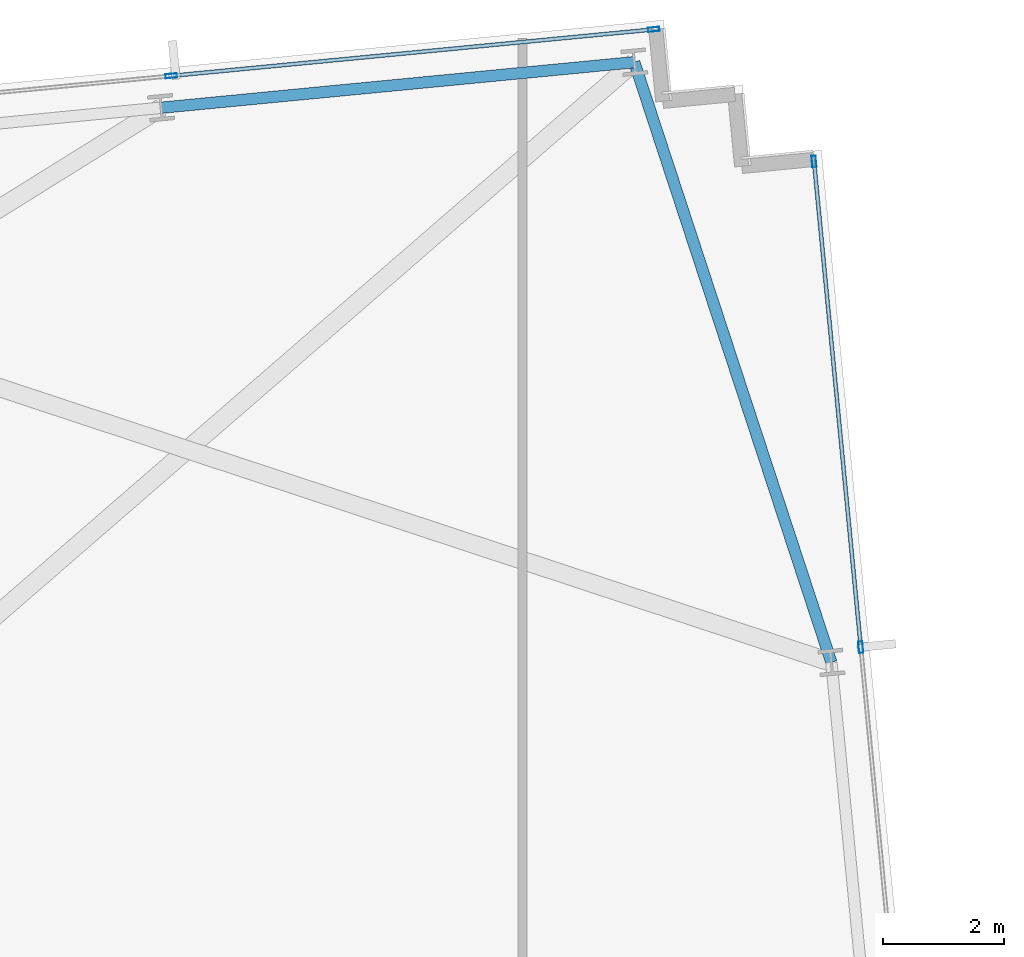
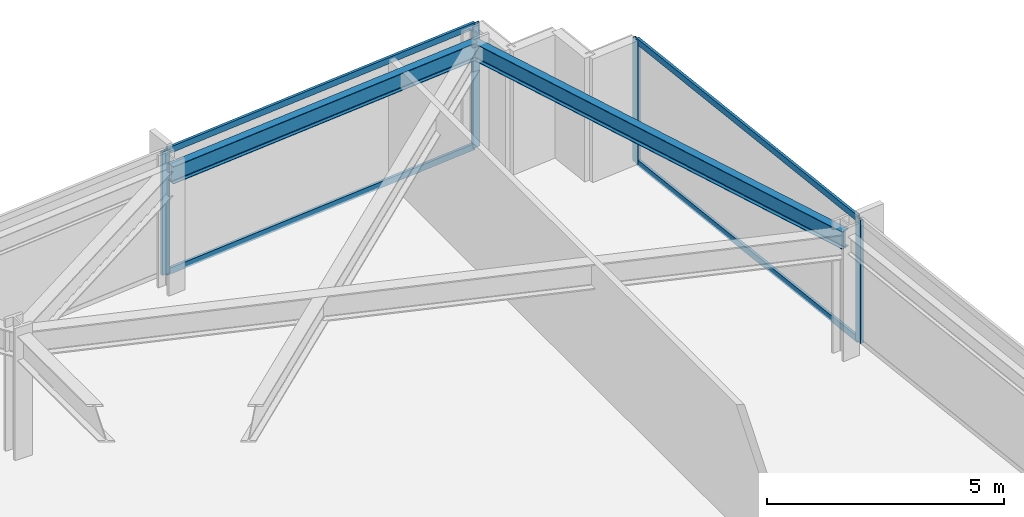
# One storey, part 23 of 32: 8 members, 2 beams, 2 elements without a shape of their own.
"""IFC4 building model written with IfcOpenShell, lengths in metres."""

from ifc_helpers import new_model, si_unit, direction, frame, origin, origin_2d, place, context, subcontext, project, spatial, hollow_rectangle, i_section, extrude, material, material_profile, profile_set, type_object, element, aggregate, save


model = new_model("IFC4")

# Units and contexts
model_context = context("Model", 3, precision=1e-05, world=origin(), true_north=direction((0.0, 1.0)))
body_context = subcontext(model_context, "Body", "Model", "MODEL_VIEW")
ifc_project = project(units=[si_unit("LENGTHUNIT", "METRE"), si_unit("AREAUNIT", "SQUARE_METRE"), si_unit("VOLUMEUNIT", "CUBIC_METRE"), si_unit("PLANEANGLEUNIT", "RADIAN"), si_unit("MASSUNIT", "GRAM", prefix="KILO")], contexts=[model_context])

# Site, building, storey
site_placement = place(None, origin())
site = spatial("IfcSite", under=ifc_project, at=site_placement, CompositionType="ELEMENT")
building_placement = place(site_placement, origin())
building = spatial("IfcBuilding", under=site, at=building_placement, Name="Yelkora Congress Tower", CompositionType="ELEMENT")
storey_placement = place(building_placement, frame((0.0, 0.0, 116.89990234375)))
storey = spatial("IfcBuildingStorey", under=building, at=storey_placement, Name="L31", CompositionType="ELEMENT", Elevation=116.89990234375)

# Beams
ifc_material_1 = material(Name="Steel S355J2", Category="steel")
ifc_material_profile_1 = material_profile(ifc_material_1, i_section(OverallWidth=0.18994140625, OverallDepth=0.449951171875, WebThickness=0.009521484375, FlangeThickness=0.0146484375, FilletRadius=0.02099609375, at=origin_2d()), Name="IPE 450")
ifc_profile_set_1 = profile_set([ifc_material_profile_1], Name="Steel S355J2")
beam_type = type_object("IfcBeamType", Name="BM-SPAN-IPE450", PredefinedType="SPANDREL", material=ifc_profile_set_1)
beam_1_placement = place(storey_placement, frame((74.522216796875, 40.610595703125, 2.955078125), z_axis=(-0.311961656523, 0.950094692575, 0.0), x_axis=(-0.950094692575, -0.311961656523, 0.0)))
element("IfcBeam", 1, at=beam_1_placement, inside=storey, type_object=beam_type, Name="L31 Perimeter Beam 13", PredefinedType="SPANDREL", context=body_context, shape_type="SweptSolid", body=[
    extrude(i_section(OverallWidth=0.18994140625, OverallDepth=0.449951171875, WebThickness=0.009521484375, FlangeThickness=0.0146484375, FilletRadius=0.02099609375, at=origin_2d()), origin(), (0.0, 0.0, 1.0), 10.48046875),
])
beam_2_placement = place(storey_placement, frame((71.252685546875, 50.568115234375, 2.955078125), z_axis=(-0.995392621281, -0.095882894719, 0.0), x_axis=(0.095882894719, -0.995392621281, 0.0)))
element("IfcBeam", 2, at=beam_2_placement, inside=storey, type_object=beam_type, Name="L31 Perimeter Beam 14", PredefinedType="SPANDREL", context=body_context, shape_type="SweptSolid", body=[
    extrude(i_section(OverallWidth=0.18994140625, OverallDepth=0.449951171875, WebThickness=0.009521484375, FlangeThickness=0.0146484375, FilletRadius=0.02099609375, at=origin_2d()), origin(), (0.0, 0.0, 1.0), 7.8857421875),
])

# Curtain wall, members
ifc_material_2 = material(Name="Anodised aluminium and insulated glass", Category="aluminium")
curtain_wall_type = type_object("IfcCurtainWallType", Name="CW-SYS-B2", PredefinedType="NOTDEFINED", material=ifc_material_2)
curtain_wall_1_placement = place(storey_placement, origin())
curtain_wall_1 = element("IfcCurtainWall", 3, at=curtain_wall_1_placement, inside=storey, type_object=curtain_wall_type, Name="L31 Unitised Curtain Wall 10 (3)", PredefinedType="NOTDEFINED")
ifc_material_3 = material(Name="Anodised aluminium 6063-T6", Category="aluminium")
ifc_material_profile_2 = material_profile(ifc_material_3, hollow_rectangle(XDim=0.070068359375, YDim=0.18994140625, WallThickness=0.00390625, at=origin_2d()), Name="ALU 70x190x4")
ifc_profile_set_2 = profile_set([ifc_material_profile_2], Name="Anodised aluminium 6063-T6")
member_type_1 = type_object("IfcMemberType", Name="MEM-ML-B2", PredefinedType="MULLION", material=ifc_profile_set_2)
member_1_placement = place(storey_placement, frame((63.572021484375, 50.3408203125, 0.0), z_axis=(0.0, 0.0, 1.0), x_axis=(-0.095844238468, 0.995396344153, 0.0)))
member_1 = element("IfcMember", 4, at=member_1_placement, type_object=member_type_1, Name="CW-B2 mullion 6", PredefinedType="MULLION", context=body_context, shape_type="SweptSolid", body=[
    extrude(hollow_rectangle(XDim=0.070068359375, YDim=0.18994140625, WallThickness=0.00390625, at=origin_2d()), origin(), (0.0, 0.0, 1.0), 3.18017578125),
])
member_2_placement = place(storey_placement, frame((71.5771484375, 51.111572265625, 0.0), z_axis=(0.0, 0.0, 1.0), x_axis=(-0.095844238468, 0.995396344153, 0.0)))
member_2 = element("IfcMember", 5, at=member_2_placement, type_object=member_type_1, Name="CW-B2 mullion 7", PredefinedType="MULLION", context=body_context, shape_type="SweptSolid", body=[
    extrude(hollow_rectangle(XDim=0.070068359375, YDim=0.18994140625, WallThickness=0.00390625, at=origin_2d()), origin(), (0.0, 0.0, 1.0), 3.18017578125),
])

curtain_wall_2_placement = place(storey_placement, origin())
curtain_wall_2 = element("IfcCurtainWall", 6, at=curtain_wall_2_placement, inside=storey, type_object=curtain_wall_type, Name="L31 Unitised Curtain Wall 15", PredefinedType="NOTDEFINED")
member_3_placement = place(storey_placement, frame((74.234375, 48.921142578125, 0.0), z_axis=(0.0, 0.0, 1.0), x_axis=(0.995396507508, 0.095842541913, 0.0)))
member_3 = element("IfcMember", 7, at=member_3_placement, type_object=member_type_1, Name="CW-B2 mullion 1", PredefinedType="MULLION", context=body_context, shape_type="SweptSolid", body=[
    extrude(hollow_rectangle(XDim=0.070068359375, YDim=0.18994140625, WallThickness=0.00390625, at=origin_2d()), origin(), (0.0, 0.0, 1.0), 3.18017578125),
])
member_4_placement = place(storey_placement, frame((75.010009765625, 40.863525390625, 0.0), z_axis=(0.0, 0.0, 1.0), x_axis=(0.995396507508, 0.095842541913, 0.0)))
member_4 = element("IfcMember", 8, at=member_4_placement, type_object=member_type_1, Name="CW-B2 mullion 2", PredefinedType="MULLION", context=body_context, shape_type="SweptSolid", body=[
    extrude(hollow_rectangle(XDim=0.070068359375, YDim=0.18994140625, WallThickness=0.00390625, at=origin_2d()), origin(), (0.0, 0.0, 1.0), 3.18017578125),
])

# Member
ifc_material_profile_3 = material_profile(ifc_material_3, hollow_rectangle(XDim=0.06494140625, YDim=0.159912109375, WallThickness=0.00390625, at=origin_2d()), Name="ALU 65x160x4")
ifc_profile_set_3 = profile_set([ifc_material_profile_3], Name="Anodised aluminium 6063-T6")
member_type_2 = type_object("IfcMemberType", Name="MEM-TR-B2", PredefinedType="USERDEFINED", material=ifc_profile_set_3)
member_5_placement = place(storey_placement, frame((63.606689453125, 50.343994140625, 0.03271484375), z_axis=(0.995395553311, 0.095852451448, 0.0), x_axis=(-0.095852451448, 0.995395553311, 0.0)))
member_5 = element("IfcMember", 9, at=member_5_placement, type_object=member_type_2, Name="CW-B2 transom 6.1", ObjectType="TRANSOM", PredefinedType="USERDEFINED", context=body_context, shape_type="SweptSolid", body=[
    extrude(hollow_rectangle(XDim=0.06494140625, YDim=0.159912109375, WallThickness=0.00390625, at=origin_2d()), origin(), (0.0, 0.0, 1.0), 7.97216796875),
])

member_6_placement = place(storey_placement, frame((63.606689453125, 50.343994140625, 3.147705078125), z_axis=(0.995395553311, 0.095852451448, 0.0), x_axis=(-0.095852451448, 0.995395553311, 0.0)))
member_6 = element("IfcMember", 10, at=member_6_placement, type_object=member_type_2, Name="CW-B2 transom 6.2", ObjectType="TRANSOM", PredefinedType="USERDEFINED", context=body_context, shape_type="SweptSolid", body=[
    extrude(hollow_rectangle(XDim=0.06494140625, YDim=0.159912109375, WallThickness=0.00390625, at=origin_2d()), origin(), (0.0, 0.0, 1.0), 7.97216796875),
])

aggregate(curtain_wall_1, [member_1, member_2, member_5, member_6])

member_7_placement = place(storey_placement, frame((74.237548828125, 48.88623046875, 0.03271484375), z_axis=(0.095861385662, -0.995394692943, 0.0), x_axis=(0.995394692943, 0.095861385662, 0.0)))
member_7 = element("IfcMember", 11, at=member_7_placement, type_object=member_type_2, Name="CW-B2 transom 1.1", ObjectType="TRANSOM", PredefinedType="USERDEFINED", context=body_context, shape_type="SweptSolid", body=[
    extrude(hollow_rectangle(XDim=0.06494140625, YDim=0.159912109375, WallThickness=0.00390625, at=origin_2d()), origin(), (0.0, 0.0, 1.0), 8.02490234375),
])

member_8_placement = place(storey_placement, frame((74.237548828125, 48.88623046875, 3.147705078125), z_axis=(0.095861385662, -0.995394692943, 0.0), x_axis=(0.995394692943, 0.095861385662, 0.0)))
member_8 = element("IfcMember", 12, at=member_8_placement, type_object=member_type_2, Name="CW-B2 transom 1.2", ObjectType="TRANSOM", PredefinedType="USERDEFINED", context=body_context, shape_type="SweptSolid", body=[
    extrude(hollow_rectangle(XDim=0.06494140625, YDim=0.159912109375, WallThickness=0.00390625, at=origin_2d()), origin(), (0.0, 0.0, 1.0), 8.02490234375),
])

aggregate(curtain_wall_2, [member_3, member_4, member_7, member_8])

save(model, "model.ifc")
